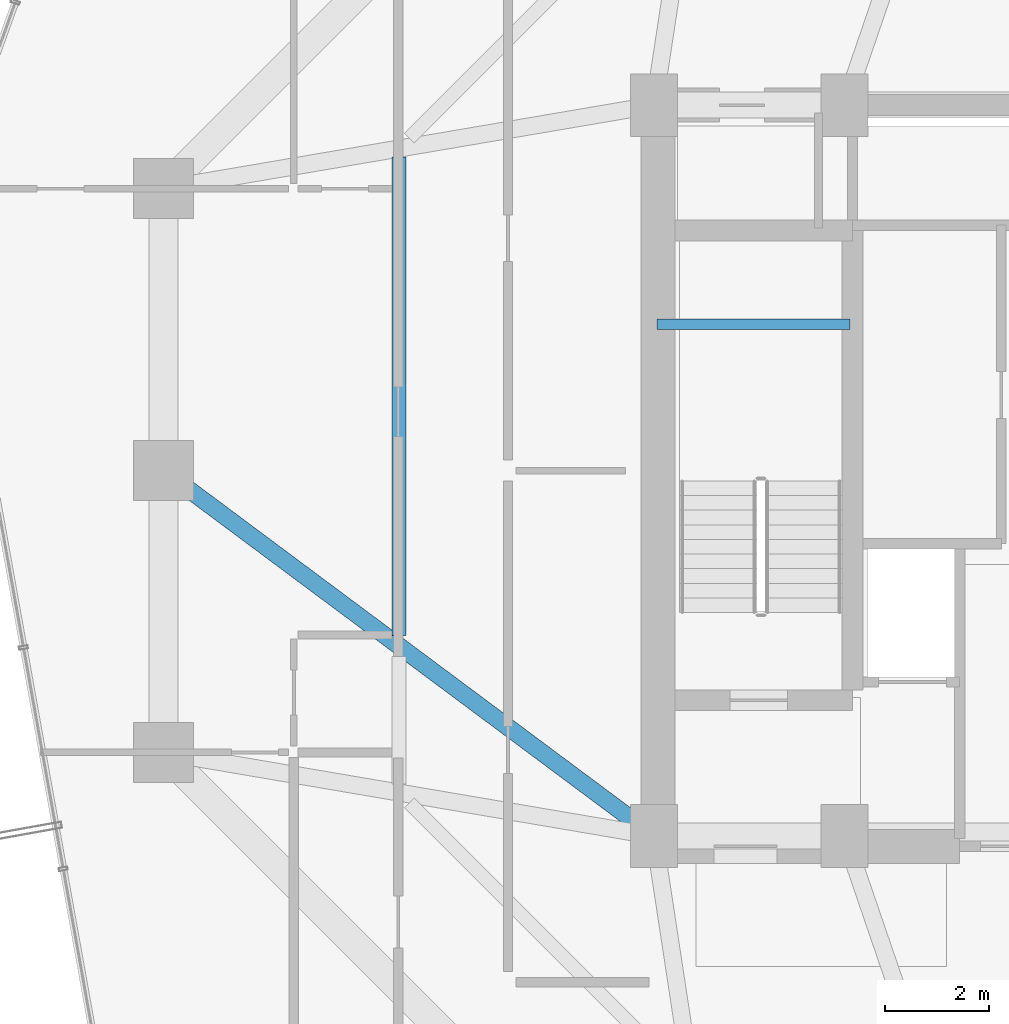
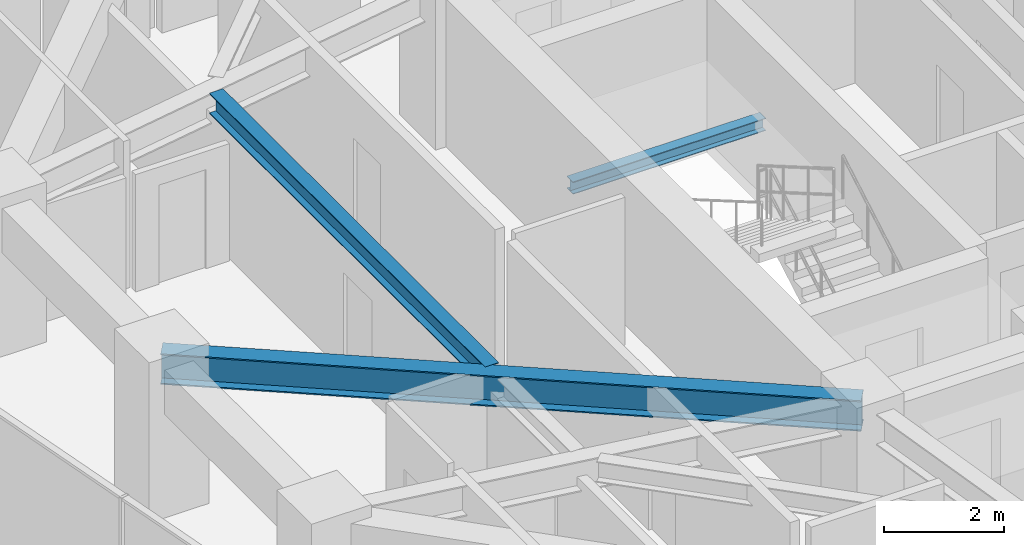
# One storey, part 12 of 36: 3 beams.
"""IFC4 building model written with IfcOpenShell, lengths in metres."""

from ifc_helpers import new_model, si_unit, direction, frame, origin, origin_2d, place, context, subcontext, project, spatial, i_section, extrude, material, material_profile, profile_set, type_object, element, save


model = new_model("IFC4")

# Units and contexts
model_context = context("Model", 3, precision=1e-05, world=origin(), true_north=direction((0.0, 1.0)))
body_context = subcontext(model_context, "Body", "Model", "MODEL_VIEW")
ifc_project = project(units=[si_unit("LENGTHUNIT", "METRE"), si_unit("AREAUNIT", "SQUARE_METRE"), si_unit("VOLUMEUNIT", "CUBIC_METRE"), si_unit("PLANEANGLEUNIT", "RADIAN"), si_unit("MASSUNIT", "GRAM", prefix="KILO")], contexts=[model_context])

# Site, building, storey
site_placement = place(None, origin())
site = spatial("IfcSite", under=ifc_project, at=site_placement, CompositionType="ELEMENT")
building_placement = place(site_placement, origin())
building = spatial("IfcBuilding", under=site, at=building_placement, Name="Veraguas Prism Commons", CompositionType="ELEMENT")
storey_placement = place(building_placement, frame((0.0, 0.0, 163.050048828125)))
storey = spatial("IfcBuildingStorey", under=building, at=storey_placement, Name="L46", CompositionType="ELEMENT", Elevation=163.050048828125)

# Beams
ifc_material = material(Name="Steel ASTM A992 Grade 50", Category="steel")
ifc_material_profile_1 = material_profile(ifc_material, i_section(OverallWidth=0.260986328125, OverallDepth=0.419921875, WebThickness=0.01171875, FlangeThickness=0.019287109375, at=origin_2d()), Name="W410X114")
ifc_profile_set_1 = profile_set([ifc_material_profile_1], Name="Steel ASTM A992 Grade 50")
beam_type_1 = type_object("IfcBeamType", Name="Lower Floor Joist W410x114", PredefinedType="JOIST", material=ifc_profile_set_1)
beam_1_placement = place(storey_placement, frame((12.31201171875, 30.003662109375, 2.7900390625), z_axis=(0.0, -1.0, 0.0), x_axis=(1.0, 0.0, 0.0)))
element("IfcBeam", 1, at=beam_1_placement, inside=storey, type_object=beam_type_1, Name="Composite Floor Joist L46-JS07", PredefinedType="JOIST", context=body_context, shape_type="SweptSolid", body=[
    extrude(i_section(OverallWidth=0.260986328125, OverallDepth=0.419921875, WebThickness=0.01171875, FlangeThickness=0.019287109375, at=origin_2d()), origin(), (0.0, 0.0, 1.0), 9.16162109375),
])
ifc_material_profile_2 = material_profile(ifc_material, i_section(OverallWidth=0.202880859375, OverallDepth=0.251953125, WebThickness=0.008056640625, FlangeThickness=0.013427734375, at=origin_2d()), Name="W250X58")
ifc_profile_set_2 = profile_set([ifc_material_profile_2], Name="Steel ASTM A992 Grade 50")
beam_type_2 = type_object("IfcBeamType", Name="Structural Opening Lintel W250x58", PredefinedType="LINTEL", material=ifc_profile_set_2)
beam_2_placement = place(storey_placement, frame((17.25, 26.800048828125, 1.299072265625), z_axis=(1.0, 0.0, 0.0), x_axis=(0.0, 1.0, 0.0)))
element("IfcBeam", 2, at=beam_2_placement, inside=storey, type_object=beam_type_2, Name="Stair ST-01 Half-Landing Support Beam L46-1", PredefinedType="LINTEL", context=body_context, shape_type="SweptSolid", body=[
    extrude(i_section(OverallWidth=0.202880859375, OverallDepth=0.251953125, WebThickness=0.008056640625, FlangeThickness=0.013427734375, at=origin_2d()), origin(), (0.0, 0.0, 1.0), 3.699951171875),
])
ifc_material_profile_3 = material_profile(ifc_material, i_section(OverallWidth=0.327880859375, OverallDepth=0.6220703125, WebThickness=0.015380859375, FlangeThickness=0.0244140625, at=origin_2d()), Name="W610X195")
ifc_profile_set_3 = profile_set([ifc_material_profile_3], Name="Steel ASTM A992 Grade 50")
beam_type_3 = type_object("IfcBeamType", Name="Zone 2 Radial Girder W610x195", PredefinedType="BEAM", material=ifc_profile_set_3)
beam_3_placement = place(storey_placement, frame((7.800048828125, 24.0, 2.68896484375), z_axis=(0.802040137921, -0.597270137512, 0.0), x_axis=(0.597270137512, 0.802040137921, 0.0)))
element("IfcBeam", 3, at=beam_3_placement, inside=storey, type_object=beam_type_3, Name="Radial Floor Girder L46-RD08", PredefinedType="BEAM", context=body_context, shape_type="SweptSolid", body=[
    extrude(i_section(OverallWidth=0.327880859375, OverallDepth=0.6220703125, WebThickness=0.015380859375, FlangeThickness=0.0244140625, at=origin_2d()), origin(), (0.0, 0.0, 1.0), 11.719970703125),
])

save(model, "model.ifc")
